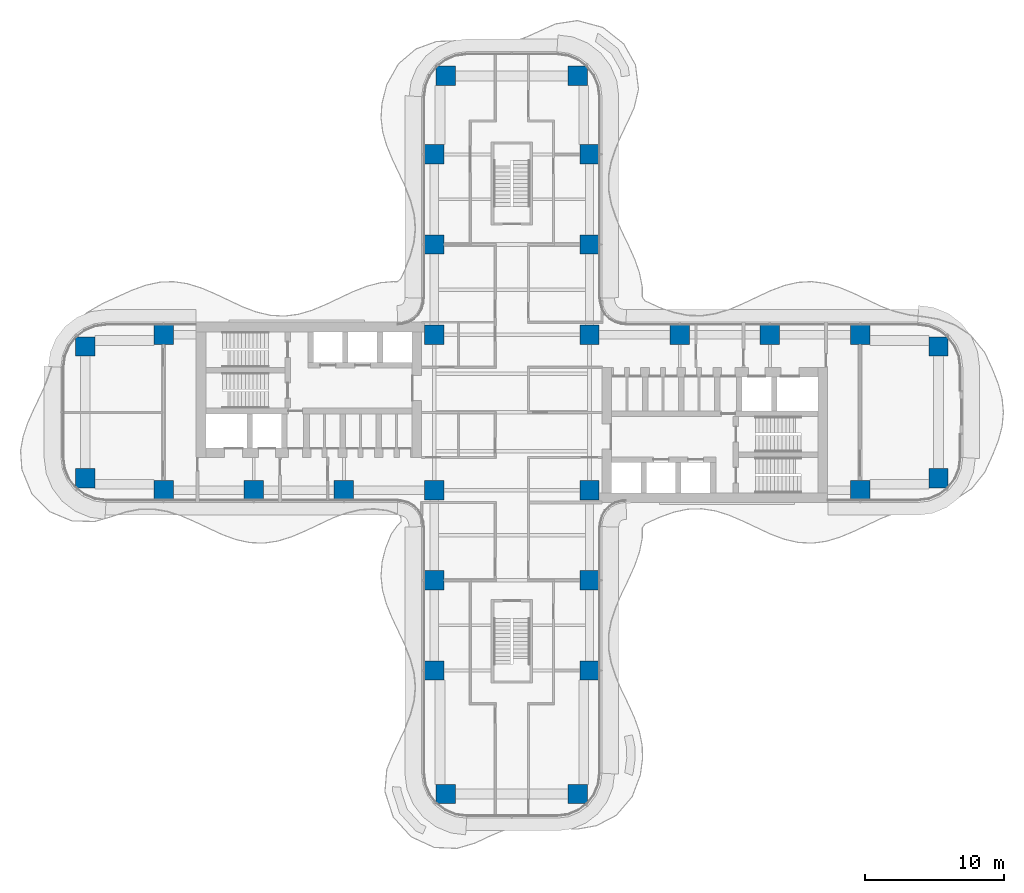
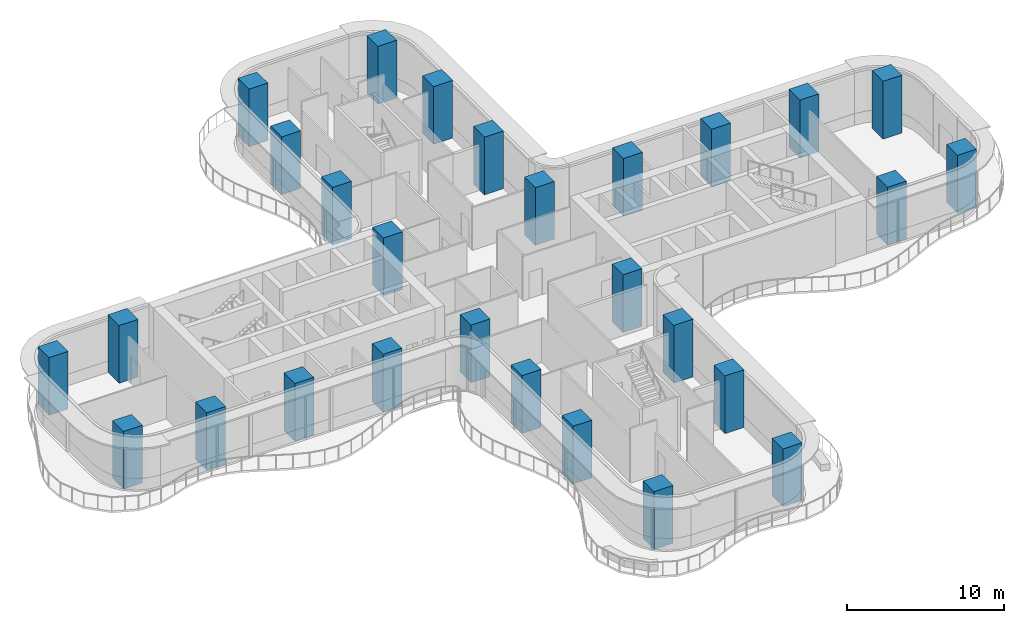
# One storey, part 1 of 22: 28 columns.
"""IFC4 building model written with IfcOpenShell, lengths in metres."""

import ifcopenshell
import ifcopenshell.guid

model = None  # the IFC model being written
_history = None  # IfcOwnerHistory: only IFC2X3 demands one
_inside = {}  # id of a spatial element -> (the spatial element, [elements in it])
_under = {}  # id of a project, library or spatial element -> (it, [spatial elements below it])
_declared = {}  # id of a project -> (the project, [libraries it declares])
_typed = {}  # id of a type object -> (the type object, [elements of that type])
_made_of = {}  # id of a material, layer set ... -> (it, [elements and type objects made of it])


def new_model(schema):
    """Start an empty IFC model of exactly this schema.

    Asked for "IFC4X3", IfcOpenShell would pick the latest addendum, in which some entities
    have other attributes; the version numbers below select the first issue.
    IFC2X3 requires an IfcOwnerHistory on every rooted entity: one is made here for all.
    """
    global model, _history
    if schema == "IFC4X3":
        model = ifcopenshell.file(schema_version=(4, 3, 0, 0))
    else:
        model = ifcopenshell.file(schema=schema)
    _inside.clear()
    _under.clear()
    _declared.clear()
    _typed.clear()
    _made_of.clear()
    _history = None
    if model.schema == "IFC2X3":
        org = make("IfcOrganization", Name="unknown")
        user = make(
            "IfcPersonAndOrganization",
            ThePerson=make("IfcPerson", FamilyName="unknown"),
            TheOrganization=org,
        )
        app = make(
            "IfcApplication",
            ApplicationDeveloper=org,
            Version="unknown",
            ApplicationFullName="unknown",
            ApplicationIdentifier="unknown",
        )
        _history = make(
            "IfcOwnerHistory",
            OwningUser=user,
            OwningApplication=app,
            ChangeAction="ADDED",
            CreationDate=0,
        )
    return model


def make(cls, **values):
    """One entity of the class cls with the attributes given. An attribute that is None is left unset."""
    return model.create_entity(
        cls, **{name: value for name, value in values.items() if value is not None}
    )


def rooted(cls, **values):
    """An entity with a GlobalId (a new one), such as an element, a storey or a relation."""
    return make(cls, GlobalId=ifcopenshell.guid.new(), OwnerHistory=_history, **values)


def si_unit(unit_type, name, prefix=None):
    """IfcSIUnit, for example si_unit("LENGTHUNIT", "METRE", prefix="MILLI")."""
    return make("IfcSIUnit", UnitType=unit_type, Prefix=prefix, Name=name)


def assignment(units):
    """IfcUnitAssignment: the units of a project."""
    return None if units is None else make("IfcUnitAssignment", Units=units)


def point(xyz):
    """IfcCartesianPoint."""
    return None if xyz is None else make("IfcCartesianPoint", Coordinates=xyz)


def direction(xyz):
    """IfcDirection."""
    return None if xyz is None else make("IfcDirection", DirectionRatios=xyz)


def frame(location, z_axis=None, x_axis=None):
    """IfcAxis2Placement3D, a coordinate frame: its origin and axes. An axis left out is left unset."""
    return make(
        "IfcAxis2Placement3D",
        Location=point(location),
        Axis=direction(z_axis),
        RefDirection=direction(x_axis),
    )


def frame_2d(location, x_axis=None):
    """IfcAxis2Placement2D, a coordinate frame in the plane: its origin and x axis."""
    return make(
        "IfcAxis2Placement2D", Location=point(location), RefDirection=direction(x_axis)
    )


def origin():
    """The frame at (0, 0, 0) with its axes left unset."""
    return frame((0.0, 0.0, 0.0))


def origin_2d():
    """The frame at (0, 0) in the plane with its x axis left unset."""
    return frame_2d((0.0, 0.0))


def place(relative_to, where):
    """IfcLocalPlacement: puts the frame where relative to a parent placement (None: the world)."""
    return make(
        "IfcLocalPlacement", PlacementRelTo=relative_to, RelativePlacement=where
    )


def context(
    kind, dimensions, precision=None, world=None, true_north=None, identifier=None
):
    """IfcGeometricRepresentationContext, for example the 3D "Model" context."""
    return make(
        "IfcGeometricRepresentationContext",
        ContextIdentifier=identifier,
        ContextType=kind,
        CoordinateSpaceDimension=dimensions,
        Precision=precision,
        WorldCoordinateSystem=world,
        TrueNorth=true_north,
    )


def subcontext(parent, identifier, kind, view, scale=None):
    """IfcGeometricRepresentationSubContext, for example "Body" below "Model"."""
    return make(
        "IfcGeometricRepresentationSubContext",
        ContextIdentifier=identifier,
        ContextType=kind,
        ParentContext=parent,
        TargetScale=scale,
        TargetView=view,
    )


def project(units=None, contexts=None):
    """IfcProject with its units and contexts."""
    return rooted(
        "IfcProject",
        Name="project",
        RepresentationContexts=contexts,
        UnitsInContext=assignment(units),
    )


def spatial(cls, under=None, at=None, **own):
    """A site, building, storey or space (cls), placed at a placement, below another one or the project."""
    s = rooted(cls, ObjectPlacement=at, **own)
    if under is not None:
        _under.setdefault(under.id(), (under, []))[1].append(s)
    return s


def profile(cls, at=None, kind="AREA", **sizes):
    """A parametric profile (cls). Its sizes go by their IFC names, for example OverallWidth=200.0."""
    return make(cls, ProfileType=kind, Position=at, **sizes)


def rectangle(**sizes):
    """IfcRectangleProfileDef."""
    return profile("IfcRectangleProfileDef", **sizes)


def extrude(swept, where, along, depth):
    """IfcExtrudedAreaSolid: the profile swept, set in the frame where, extruded along a direction by depth."""
    return make(
        "IfcExtrudedAreaSolid",
        SweptArea=swept,
        Position=where,
        ExtrudedDirection=direction(along),
        Depth=depth,
    )


def shape(context_of_items, identifier, shape_type, items):
    """IfcShapeRepresentation: the items that make up one representation, for example the "Body"."""
    return make(
        "IfcShapeRepresentation",
        ContextOfItems=context_of_items,
        RepresentationIdentifier=identifier,
        RepresentationType=shape_type,
        Items=items,
    )


def source(mapping_origin, context_of_items, identifier, shape_type, items):
    """IfcRepresentationMap: a shape defined once, which mapped items show again and again."""
    return make(
        "IfcRepresentationMap",
        MappingOrigin=mapping_origin,
        MappedRepresentation=shape(context_of_items, identifier, shape_type, items),
    )


def transform(
    local_origin,
    x_axis=None,
    y_axis=None,
    z_axis=None,
    scale=None,
    scale2=None,
    scale3=None,
    uniform=True,
):
    """IfcCartesianTransformationOperator3D, or its non-uniform kind. x_axis, y_axis, z_axis: its Axis1, 2, 3."""
    if uniform:
        return make(
            "IfcCartesianTransformationOperator3D",
            Axis1=direction(x_axis),
            Axis2=direction(y_axis),
            LocalOrigin=point(local_origin),
            Scale=scale,
            Axis3=direction(z_axis),
        )
    return make(
        "IfcCartesianTransformationOperator3DnonUniform",
        Axis1=direction(x_axis),
        Axis2=direction(y_axis),
        LocalOrigin=point(local_origin),
        Scale=scale,
        Axis3=direction(z_axis),
        Scale2=scale2,
        Scale3=scale3,
    )


def mapped(mapping_source, mapping_target):
    """IfcMappedItem: shows the shape of a source again, moved by a transform."""
    return make(
        "IfcMappedItem", MappingSource=mapping_source, MappingTarget=mapping_target
    )


def material(Name=None, Category=None):
    """IfcMaterial."""
    return make("IfcMaterial", Name=Name, Category=Category)


def material_profile(
    of_material, cross_section, Name=None, Category=None, Priority=None
):
    """IfcMaterialProfile: a cross section and its material."""
    return make(
        "IfcMaterialProfile",
        Name=Name,
        Material=of_material,
        Profile=cross_section,
        Priority=Priority,
        Category=Category,
    )


def profile_set(profiles, Name=None, composite=None):
    """IfcMaterialProfileSet."""
    return make(
        "IfcMaterialProfileSet",
        Name=Name,
        MaterialProfiles=profiles,
        CompositeProfile=composite,
    )


def made_of(thing, what):
    """Note that an element or type object is made of a material, layer set ...; save() writes the relation."""
    if what is not None:
        _made_of.setdefault(what.id(), (what, []))[1].append(thing)
    return thing


def type_object(cls, material=None, **own):
    """A type object (cls), such as IfcWallType, which elements share."""
    return made_of(rooted(cls, **own), material)


def element(
    cls,
    number,
    at=None,
    inside=None,
    cuts=None,
    type_object=None,
    material=None,
    context=None,
    identifier="Body",
    shape_type=None,
    held_by="IfcProductDefinitionShape",
    body=None,
    shapes=None,
    **own,
):
    """One element of the class cls, such as IfcWall. Its Tag is "e" and its number.

    at: its placement. inside: the storey or other place that contains it. cuts: it is an
    opening in that element (IfcRelVoidsElement). A single representation is given by context,
    identifier, shape_type and body (its items); several are given by shapes. held_by: the class
    of the entity that holds the representations. save() writes the other relations.
    """
    e = rooted(cls, Tag="e%d" % number, ObjectPlacement=at, **own)
    if body is not None:
        shapes = [shape(context, identifier, shape_type, body)]
    if shapes is not None:
        e.Representation = make(held_by, Representations=shapes)
    if inside is not None:
        _inside.setdefault(inside.id(), (inside, []))[1].append(e)
    if cuts is not None:
        rooted(
            "IfcRelVoidsElement", RelatingBuildingElement=cuts, RelatedOpeningElement=e
        )
    if type_object is not None:
        _typed.setdefault(type_object.id(), (type_object, []))[1].append(e)
    return made_of(e, material)


def aggregate(whole, parts):
    """IfcRelAggregates: a whole, such as a stair, and the parts it consists of."""
    return rooted("IfcRelAggregates", RelatingObject=whole, RelatedObjects=parts)


def save(model, path):
    """Write the relations noted so far, then the file.

    IfcRelAggregates (storeys below a building ...), IfcRelContainedInSpatialStructure (elements
    in a storey), IfcRelDefinesByType, IfcRelAssociatesMaterial and IfcRelDeclares: one each for
    every whole, place, type object, material and project.
    """
    for whole, parts in _under.values():
        aggregate(whole, parts)
    for where, things in _inside.values():
        rooted(
            "IfcRelContainedInSpatialStructure",
            RelatedElements=things,
            RelatingStructure=where,
        )
    for kind, things in _typed.values():
        rooted("IfcRelDefinesByType", RelatedObjects=things, RelatingType=kind)
    for what, things in _made_of.values():
        rooted("IfcRelAssociatesMaterial", RelatedObjects=things, RelatingMaterial=what)
    for by, libraries in _declared.values():
        rooted("IfcRelDeclares", RelatingContext=by, RelatedDefinitions=libraries)
    model.write(path)


model = new_model("IFC4")

# Units and contexts
model_context = context("Model", 3, precision=1e-05, world=origin(), true_north=direction((0.0, 1.0)))
body_context = subcontext(model_context, "Body", "Model", "MODEL_VIEW")
ifc_project = project(units=[si_unit("LENGTHUNIT", "METRE"), si_unit("AREAUNIT", "SQUARE_METRE"), si_unit("VOLUMEUNIT", "CUBIC_METRE"), si_unit("PLANEANGLEUNIT", "RADIAN"), si_unit("MASSUNIT", "GRAM", prefix="KILO")], contexts=[model_context])

# Site, building, storey
site_placement = place(None, origin())
site = spatial("IfcSite", under=ifc_project, at=site_placement, CompositionType="ELEMENT")
building_placement = place(site_placement, origin())
building = spatial("IfcBuilding", under=site, at=building_placement, Name="Trellis Farm Tower", CompositionType="ELEMENT")
storey_placement = place(building_placement, frame((0.0, 0.0, 79.0)))
storey = spatial("IfcBuildingStorey", under=building, at=storey_placement, Name="L16", CompositionType="ELEMENT", Elevation=79.0)

# Columns
ifc_material = material(Name="Concrete C80/95", Category="concrete")
ifc_material_profile = material_profile(ifc_material, rectangle(XDim=1.39990234375, YDim=1.39990234375, at=origin_2d()), Name="RC column 1400x1400 C80/95")
ifc_profile_set = profile_set([ifc_material_profile], Name="Concrete C80/95")
column_type = type_object("IfcColumnType", Name="RC column 1400x1400 C80/95", PredefinedType="COLUMN", material=ifc_profile_set)
shared_shape = source(origin(), body_context, "Body", "SweptSolid", [
    extrude(rectangle(XDim=1.39990234375, YDim=1.39990234375, at=origin_2d()), origin(), (0.0, 0.0, 1.0), 4.5),
])
for number, where, z_axis, x_axis, name in (
    (1, (12.10009765625, 5.60009765625, 0.0), (0.0, 0.0, 1.0), (1.0, 0.0, 0.0), "Column"),
    (2, (18.60009765625, 5.60009765625, 0.0), (0.0, 0.0, 1.0), (1.0, 0.0, 0.0), "Column"),
    (3, (25.10009765625, 5.60009765625, 0.0), (0.0, 0.0, 1.0), (1.0, 0.0, 0.0), "Column"),
    (4, (30.75, 4.75, 0.0), (0.0, 0.0, 1.0), (1.0, 0.0, 0.0), "Column"),
    (5, (25.10009765625, -5.60009765625, 0.0), (0.0, 0.0, 1.0), (1.0, 0.0, 0.0), "Column"),
    (6, (30.75, -4.75, 0.0), (0.0, 0.0, 1.0), (1.0, 0.0, 0.0), "Column"),
    (7, (-5.60009765625, 12.10009765625, 0.0), (0.0, 0.0, 1.0), (1.0, 0.0, 0.0), "Column"),
    (8, (-5.60009765625, 18.60009765625, 0.0), (0.0, 0.0, 1.0), (1.0, 0.0, 0.0), "Column"),
    (9, (-4.75, 24.25, 0.0), (0.0, 0.0, 1.0), (1.0, 0.0, 0.0), "Column"),
    (10, (5.60009765625, 12.10009765625, 0.0), (0.0, 0.0, 1.0), (1.0, 0.0, 0.0), "Column"),
    (11, (5.60009765625, 18.60009765625, 0.0), (0.0, 0.0, 1.0), (1.0, 0.0, 0.0), "Column"),
    (12, (4.75, 24.25, 0.0), (0.0, 0.0, 1.0), (1.0, 0.0, 0.0), "Column"),
    (13, (5.60009765625, 5.60009765625, 0.0), (0.0, 0.0, 1.0), (1.0, 0.0, 0.0), "Column"),
    (14, (-5.60009765625, 5.60009765625, 0.0), (0.0, 0.0, 1.0), (1.0, 0.0, 0.0), "Column"),
    (15, (5.60009765625, -5.60009765625, 0.0), (0.0, 0.0, 1.0), (1.0, 0.0, 0.0), "Column"),
    (16, (-5.60009765625, -5.60009765625, 0.0), (0.0, 0.0, 1.0), (1.0, 0.0, 0.0), "Column"),
    (17, (5.60009765625, -12.10009765625, 0.0), (0.0, 0.0, 1.0), (1.0, 0.0, 0.0), "Column"),
    (18, (5.60009765625, -18.60009765625, 0.0), (0.0, 0.0, 1.0), (1.0, 0.0, 0.0), "Column"),
    (19, (4.75, -27.5, 0.0), (0.0, 0.0, 1.0), (1.0, 0.0, 0.0), "Column"),
    (20, (-5.60009765625, -12.10009765625, 0.0), (0.0, 0.0, 1.0), (1.0, 0.0, 0.0), "Column"),
    (21, (-5.60009765625, -18.60009765625, 0.0), (0.0, 0.0, 1.0), (1.0, 0.0, 0.0), "Column"),
    (22, (-4.75, -27.5, 0.0), (0.0, 0.0, 1.0), (1.0, 0.0, 0.0), "Column"),
    (23, (-12.10009765625, -5.60009765625, 0.0), (0.0, 0.0, 1.0), (1.0, 0.0, 0.0), "Column"),
    (24, (-18.60009765625, -5.60009765625, 0.0), (0.0, 0.0, 1.0), (1.0, 0.0, 0.0), "Column"),
    (25, (-25.10009765625, -5.60009765625, 0.0), (0.0, 0.0, 1.0), (1.0, 0.0, 0.0), "Column"),
    (26, (-30.75, -4.75, 0.0), (0.0, 0.0, 1.0), (1.0, 0.0, 0.0), "Column"),
    (27, (-25.10009765625, 5.60009765625, 0.0), (0.0, 0.0, 1.0), (1.0, 0.0, 0.0), "Column"),
    (28, (-30.75, 4.75, 0.0), (0.0, 0.0, 1.0), (1.0, 0.0, 0.0), "Column"),
):
    element("IfcColumn", number, at=place(storey_placement, frame(where, z_axis=z_axis, x_axis=x_axis)), inside=storey, type_object=column_type, Name=name, PredefinedType="COLUMN", context=body_context, shape_type="MappedRepresentation", body=[
        mapped(shared_shape, transform((0.0, 0.0, 0.0))),
    ])

save(model, "model.ifc")
